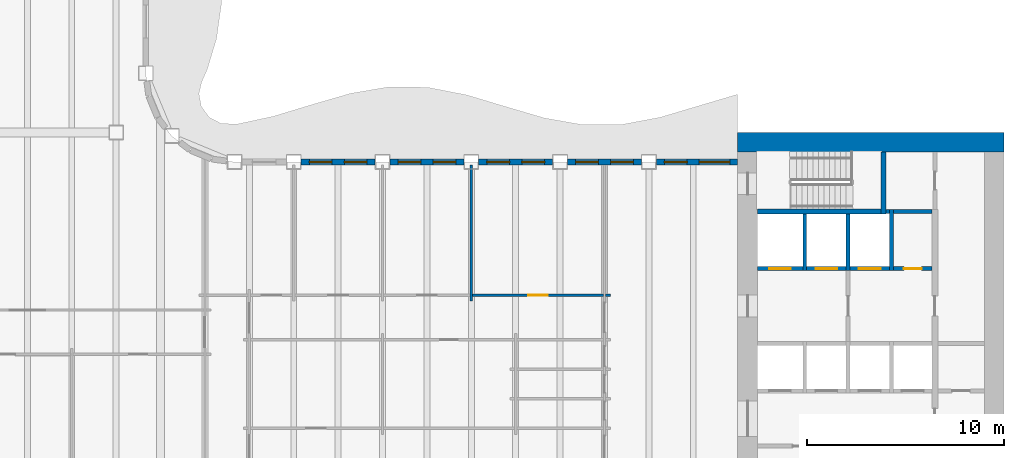
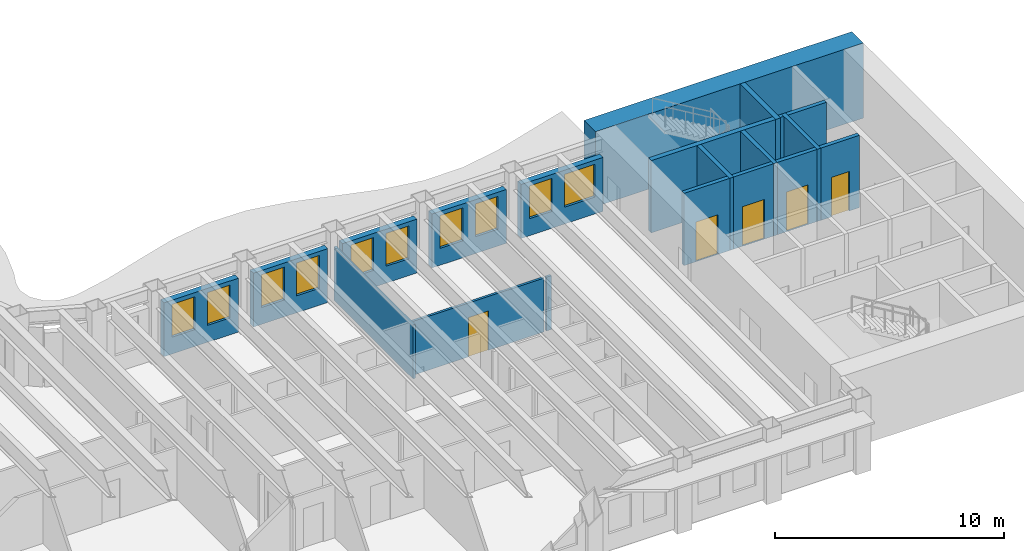
# One storey, part 7 of 16: 20 walls, 10 windows, 5 doors, 15 openings.
"""IFC4 building model written with IfcOpenShell, lengths in metres."""

from ifc_helpers import new_model, si_unit, direction, frame, frame_2d, origin, place, context, subcontext, project, spatial, rectangle, extrude, material, layer, layer_set, type_object, element, fill, save


model = new_model("IFC4")

# Units and contexts
model_context = context("Model", 3, precision=1e-05, world=origin(), true_north=direction((0.0, 1.0)))
body_context = subcontext(model_context, "Body", "Model", "MODEL_VIEW")
ifc_project = project(units=[si_unit("LENGTHUNIT", "METRE"), si_unit("AREAUNIT", "SQUARE_METRE"), si_unit("VOLUMEUNIT", "CUBIC_METRE"), si_unit("PLANEANGLEUNIT", "RADIAN"), si_unit("MASSUNIT", "GRAM", prefix="KILO")], contexts=[model_context])

# Site, building, storey
site_placement = place(None, origin())
site = spatial("IfcSite", under=ifc_project, at=site_placement, CompositionType="ELEMENT")
building_placement = place(site_placement, origin())
building = spatial("IfcBuilding", under=site, at=building_placement, Name="Sennacour Bend Tower", CompositionType="ELEMENT")
storey_placement = place(building_placement, frame((0.0, 0.0, 207.0)))
storey = spatial("IfcBuildingStorey", under=building, at=storey_placement, Name="L47", CompositionType="ELEMENT", Elevation=207.0)

# Walls
ifc_material_1 = material(Name="Concrete C60/75", Category="concrete")
ifc_layer_1 = layer(ifc_material_1, 1.0, Name="Concrete C60/75", Category="concrete")
ifc_layer_set_1 = layer_set([ifc_layer_1], Name="Concrete C60/75")
wall_type_1 = type_object("IfcWallType", Name="Core wall 1000 C60/75", PredefinedType="SHEAR", material=ifc_layer_set_1)
wall_1_placement = place(storey_placement, frame((54.0, 22.0, -0.14990234375), z_axis=(0.0, 0.0, 1.0), x_axis=(1.0, 0.0, 0.0)))
element("IfcWall", 1, at=wall_1_placement, inside=storey, type_object=wall_type_1, Name="Core A wall L47 N", PredefinedType="SHEAR", context=body_context, shape_type="SweptSolid", body=[
    extrude(rectangle(XDim=13.5, YDim=1.0, at=frame_2d((6.75, 0.0))), origin(), (0.0, 0.0, 1.0), 4.0),
])
ifc_material_2 = material(Name="Plasterboard partition on steel studs", Category="steel")
ifc_layer_2 = layer(ifc_material_2, 0.1201171875, Name="Plasterboard partition on steel studs", Category="steel")
ifc_layer_set_2 = layer_set([ifc_layer_2], Name="Plasterboard partition on steel studs")
wall_type_2 = type_object("IfcWallType", Name="Partition 120", PredefinedType="PARTITIONING", material=ifc_layer_set_2)
wall_2_placement = place(storey_placement, frame((40.5, 13.949951171875, 0.0), z_axis=(0.0, 0.0, 1.0), x_axis=(0.0, 1.0, 0.0)))
element("IfcWall", 2, at=wall_2_placement, inside=storey, type_object=wall_type_2, Name="P-L47-W034a", PredefinedType="PARTITIONING", context=body_context, shape_type="SweptSolid", body=[
    extrude(rectangle(XDim=6.900146484375, YDim=0.1201171875, at=frame_2d((3.4501953125, 0.0))), origin(), (0.0, 0.0, 1.0), 2.8701171875),
])

# Wall, opening, door
wall_3_placement = place(storey_placement, frame((40.56005859375, 14.25, 0.0), z_axis=(0.0, 0.0, 1.0), x_axis=(1.0, 0.0, 0.0)))
wall_3 = element("IfcWall", 3, at=wall_3_placement, inside=storey, type_object=wall_type_2, Name="P-L47-W071af", PredefinedType="PARTITIONING", context=body_context, shape_type="SweptSolid", body=[
    extrude(rectangle(XDim=6.6298828125, YDim=0.1201171875, at=frame_2d((3.31494140625, 0.0))), origin(), (0.0, 0.0, 1.0), 2.8701171875),
])
opening_1_placement = place(wall_3_placement, frame((2.81494140625, 0.0, 0.0)))
opening_1 = element("IfcOpeningElement", 4, at=opening_1_placement, cuts=wall_3, Name="Opening OD2", PredefinedType="OPENING", context=body_context, shape_type="SweptSolid", body=[
    extrude(rectangle(XDim=1.0, YDim=2.10009765625, at=frame_2d((0.5, 1.050048828125))), frame((0.0, 0.070068359375, 0.0), z_axis=(0.0, -1.0, 0.0), x_axis=(1.0, 0.0, 0.0)), (0.0, 0.0, 1.0), 0.14013671875),
])
ifc_material_3 = material(Name="Timber", Category="wood")
door_type_1 = type_object("IfcDoorType", Name="DR-OFFICE-1000", OperationType="NOTDEFINED", PredefinedType="DOOR", material=ifc_material_3)
door_1_placement = place(opening_1_placement, origin())
door_1 = element("IfcDoor", 5, at=door_1_placement, inside=storey, type_object=door_type_1, Name="Door", OperationType="SINGLE_SWING_LEFT", OverallHeight=2.10009765625, OverallWidth=1.0, PredefinedType="DOOR", context=body_context, shape_type="SweptSolid", body=[
    extrude(rectangle(XDim=1.0, YDim=2.10009765625, at=frame_2d((0.5, 1.050048828125))), frame((0.0, 0.02490234375, 0.0), z_axis=(0.0, -1.0, 0.0), x_axis=(1.0, 0.0, 0.0)), (0.0, 0.0, 1.0), 0.050048828125),
])
fill(opening_1, door_1)

# Wall
wall_4_placement = place(storey_placement, frame((47.31005859375, 14.25, 0.0), z_axis=(0.0, 0.0, 1.0), x_axis=(1.0, 0.0, 0.0)))
element("IfcWall", 6, at=wall_4_placement, inside=storey, type_object=wall_type_2, Name="P-L47-W071ag", PredefinedType="PARTITIONING", context=body_context, shape_type="SweptSolid", body=[
    extrude(rectangle(XDim=0.239990234375, YDim=0.1201171875, at=frame_2d((0.1201171875, 0.0))), origin(), (0.0, 0.0, 1.0), 2.8701171875),
])

# Wall, opening, door
ifc_material_4 = material(Name="Fire-rated plasterboard partition on steel studs", Category="steel")
ifc_layer_3 = layer(ifc_material_4, 0.199951171875, Name="Fire-rated plasterboard partition on steel studs", Category="steel")
ifc_layer_set_3 = layer_set([ifc_layer_3], Name="Fire-rated plasterboard partition on steel studs")
wall_type_3 = type_object("IfcWallType", Name="Rated partition 200", PredefinedType="PARTITIONING", material=ifc_layer_set_3)
wall_5_placement = place(storey_placement, frame((61.89990234375, 15.60009765625, 0.0), z_axis=(0.0, 0.0, 1.0), x_axis=(1.0, 0.0, 0.0)))
wall_5 = element("IfcWall", 7, at=wall_5_placement, inside=storey, type_object=wall_type_3, Name="P-L47-W073", PredefinedType="PARTITIONING", context=body_context, shape_type="SweptSolid", body=[
    extrude(rectangle(XDim=1.9501953125, YDim=0.199951171875, at=frame_2d((0.97509765625, 0.0))), origin(), (0.0, 0.0, 1.0), 3.85009765625),
])
opening_2_placement = place(wall_5_placement, frame((0.525146484375, 0.0, 0.0)))
opening_2 = element("IfcOpeningElement", 8, at=opening_2_placement, cuts=wall_5, Name="Opening SV", PredefinedType="OPENING", context=body_context, shape_type="SweptSolid", body=[
    extrude(rectangle(XDim=0.89990234375, YDim=2.10009765625, at=frame_2d((0.449951171875, 1.050048828125))), frame((0.0, 0.10986328125, 0.0), z_axis=(0.0, -1.0, 0.0), x_axis=(1.0, 0.0, 0.0)), (0.0, 0.0, 1.0), 0.219970703125),
])
ifc_material_5 = material(Name="Painted steel", Category="steel")
door_type_2 = type_object("IfcDoorType", Name="DR-SERVICE-900", OperationType="NOTDEFINED", PredefinedType="DOOR", material=ifc_material_5)
door_2_placement = place(opening_2_placement, origin())
door_2 = element("IfcDoor", 9, at=door_2_placement, inside=storey, type_object=door_type_2, Name="Door", OperationType="SINGLE_SWING_LEFT", OverallHeight=2.10009765625, OverallWidth=0.89990234375, PredefinedType="DOOR", context=body_context, shape_type="SweptSolid", body=[
    extrude(rectangle(XDim=0.89990234375, YDim=2.10009765625, at=frame_2d((0.449951171875, 1.050048828125))), frame((0.0, 0.02490234375, 0.0), z_axis=(0.0, -1.0, 0.0), x_axis=(1.0, 0.0, 0.0)), (0.0, 0.0, 1.0), 0.050048828125),
])
fill(opening_2, door_2)

# Wall
wall_6_placement = place(storey_placement, frame((61.89990234375, 18.5, 0.0), z_axis=(0.0, 0.0, 1.0), x_axis=(1.0, 0.0, 0.0)))
element("IfcWall", 10, at=wall_6_placement, inside=storey, type_object=wall_type_3, Name="P-L47-W076", PredefinedType="PARTITIONING", context=body_context, shape_type="SweptSolid", body=[
    extrude(rectangle(XDim=1.9501953125, YDim=0.199951171875, at=frame_2d((0.97509765625, 0.0))), origin(), (0.0, 0.0, 1.0), 3.85009765625),
])

# Wall, openings, windows
ifc_material_6 = material(Name="Warm limestone cladding", Category="masonry")
ifc_layer_4 = layer(ifc_material_6, 0.050048828125, Name="Warm limestone cladding", Category="masonry")
ifc_material_7 = material(Name="Precast concrete C40/50", Category="concrete")
ifc_layer_5 = layer(ifc_material_7, 0.25, Name="Precast concrete C40/50", Category="concrete")
ifc_layer_set_4 = layer_set([ifc_layer_4, ifc_layer_5], Name="Precast concrete C40/50 with limestone cladding")
wall_type_4 = type_object("IfcWallType", Name="STONE-CLAD PRECAST SPANDREL 300", PredefinedType="STANDARD", material=ifc_layer_set_4)
wall_7_placement = place(storey_placement, frame((54.0, 21.0, 0.0), z_axis=(0.0, 0.0, 1.0), x_axis=(-1.0, 0.0, 0.0)))
wall_7 = element("IfcWall", 11, at=wall_7_placement, inside=storey, type_object=wall_type_4, Name="Stone spandrel and pier wall L47 06.00", PredefinedType="STANDARD", context=body_context, shape_type="SweptSolid", body=[
    extrude(rectangle(XDim=4.125, YDim=0.300048828125, at=frame_2d((2.0625, 0.0))), origin(), (0.0, 0.0, 1.0), 2.8701171875),
])
opening_3_placement = place(wall_7_placement, frame((0.39990234375, 0.0, 0.89990234375)))
opening_3 = element("IfcOpeningElement", 12, at=opening_3_placement, cuts=wall_7, Name="Opening W12", PredefinedType="OPENING", context=body_context, shape_type="SweptSolid", body=[
    extrude(rectangle(XDim=1.550048828125, YDim=1.75, at=frame_2d((0.77490234375, 0.875))), frame((0.0, 0.16015625, 0.0), z_axis=(0.0, -1.0, 0.0), x_axis=(1.0, 0.0, 0.0)), (0.0, 0.0, 1.0), 0.320068359375),
])
opening_4_placement = place(wall_7_placement, frame((2.5625, 0.0, 0.89990234375)))
opening_4 = element("IfcOpeningElement", 13, at=opening_4_placement, cuts=wall_7, Name="Opening W23", PredefinedType="OPENING", context=body_context, shape_type="SweptSolid", body=[
    extrude(rectangle(XDim=1.14990234375, YDim=1.75, at=frame_2d((0.574951171875, 0.875))), frame((0.0, 0.16015625, 0.0), z_axis=(0.0, -1.0, 0.0), x_axis=(1.0, 0.0, 0.0)), (0.0, 0.0, 1.0), 0.320068359375),
])
ifc_material_8 = material(Name="Clear low-emissivity glass", Category="glass")
window_type_1 = type_object("IfcWindowType", Name="WIN-RIBBON-1150x1750", PartitioningType="SINGLE_PANEL", PredefinedType="WINDOW", material=ifc_material_8)
window_1_placement = place(opening_4_placement, origin())
window_1 = element("IfcWindow", 14, at=window_1_placement, inside=storey, type_object=window_type_1, Name="Ribbon window L47 06.00.1", OverallHeight=1.75, OverallWidth=1.14990234375, PartitioningType="SINGLE_PANEL", PredefinedType="WINDOW", context=body_context, shape_type="SweptSolid", body=[
    extrude(rectangle(XDim=1.14990234375, YDim=1.75, at=frame_2d((0.574951171875, 0.875))), frame((0.0, 0.030029296875, 0.0), z_axis=(0.0, -1.0, 0.0), x_axis=(1.0, 0.0, 0.0)), (0.0, 0.0, 1.0), 0.06005859375),
])
fill(opening_4, window_1)
window_type_2 = type_object("IfcWindowType", Name="WIN-RIBBON-1550x1750", PartitioningType="SINGLE_PANEL", PredefinedType="WINDOW", material=ifc_material_8)
window_2_placement = place(opening_3_placement, origin())
window_2 = element("IfcWindow", 15, at=window_2_placement, inside=storey, type_object=window_type_2, Name="Ribbon window L47 06.00.0", OverallHeight=1.75, OverallWidth=1.550048828125, PartitioningType="SINGLE_PANEL", PredefinedType="WINDOW", context=body_context, shape_type="SweptSolid", body=[
    extrude(rectangle(XDim=1.550048828125, YDim=1.75, at=frame_2d((0.77490234375, 0.875))), frame((0.0, 0.030029296875, 0.0), z_axis=(0.0, -1.0, 0.0), x_axis=(1.0, 0.0, 0.0)), (0.0, 0.0, 1.0), 0.06005859375),
])
fill(opening_3, window_2)

wall_8_placement = place(storey_placement, frame((49.125, 21.0, 0.0), z_axis=(0.0, 0.0, 1.0), x_axis=(-1.0, 0.0, 0.0)))
wall_8 = element("IfcWall", 16, at=wall_8_placement, inside=storey, type_object=wall_type_4, Name="Stone spandrel and pier wall L47 06.01", PredefinedType="STANDARD", context=body_context, shape_type="SweptSolid", body=[
    extrude(rectangle(XDim=3.75, YDim=0.300048828125, at=frame_2d((1.875, 0.0))), origin(), (0.0, 0.0, 1.0), 2.8701171875),
])
opening_5_placement = place(wall_8_placement, frame((0.41259765625, 0.0, 0.89990234375)))
opening_5 = element("IfcOpeningElement", 17, at=opening_5_placement, cuts=wall_8, Name="Opening W23", PredefinedType="OPENING", context=body_context, shape_type="SweptSolid", body=[
    extrude(rectangle(XDim=1.14990234375, YDim=1.75, at=frame_2d((0.574951171875, 0.875))), frame((0.0, 0.16015625, 0.0), z_axis=(0.0, -1.0, 0.0), x_axis=(1.0, 0.0, 0.0)), (0.0, 0.0, 1.0), 0.320068359375),
])
opening_6_placement = place(wall_8_placement, frame((2.1875, 0.0, 0.89990234375)))
opening_6 = element("IfcOpeningElement", 18, at=opening_6_placement, cuts=wall_8, Name="Opening W23", PredefinedType="OPENING", context=body_context, shape_type="SweptSolid", body=[
    extrude(rectangle(XDim=1.14990234375, YDim=1.75, at=frame_2d((0.574951171875, 0.875))), frame((0.0, 0.16015625, 0.0), z_axis=(0.0, -1.0, 0.0), x_axis=(1.0, 0.0, 0.0)), (0.0, 0.0, 1.0), 0.320068359375),
])
window_3_placement = place(opening_5_placement, origin())
window_3 = element("IfcWindow", 19, at=window_3_placement, inside=storey, type_object=window_type_1, Name="Ribbon window L47 06.01.0", OverallHeight=1.75, OverallWidth=1.14990234375, PartitioningType="SINGLE_PANEL", PredefinedType="WINDOW", context=body_context, shape_type="SweptSolid", body=[
    extrude(rectangle(XDim=1.14990234375, YDim=1.75, at=frame_2d((0.574951171875, 0.875))), frame((0.0, 0.030029296875, 0.0), z_axis=(0.0, -1.0, 0.0), x_axis=(1.0, 0.0, 0.0)), (0.0, 0.0, 1.0), 0.06005859375),
])
fill(opening_5, window_3)
window_4_placement = place(opening_6_placement, origin())
window_4 = element("IfcWindow", 20, at=window_4_placement, inside=storey, type_object=window_type_1, Name="Ribbon window L47 06.01.1", OverallHeight=1.75, OverallWidth=1.14990234375, PartitioningType="SINGLE_PANEL", PredefinedType="WINDOW", context=body_context, shape_type="SweptSolid", body=[
    extrude(rectangle(XDim=1.14990234375, YDim=1.75, at=frame_2d((0.574951171875, 0.875))), frame((0.0, 0.030029296875, 0.0), z_axis=(0.0, -1.0, 0.0), x_axis=(1.0, 0.0, 0.0)), (0.0, 0.0, 1.0), 0.06005859375),
])
fill(opening_6, window_4)

wall_9_placement = place(storey_placement, frame((44.625, 21.0, 0.0), z_axis=(0.0, 0.0, 1.0), x_axis=(-1.0, 0.0, 0.0)))
wall_9 = element("IfcWall", 21, at=wall_9_placement, inside=storey, type_object=wall_type_4, Name="Stone spandrel and pier wall L47 06.02", PredefinedType="STANDARD", context=body_context, shape_type="SweptSolid", body=[
    extrude(rectangle(XDim=3.75, YDim=0.300048828125, at=frame_2d((1.875, 0.0))), origin(), (0.0, 0.0, 1.0), 2.8701171875),
])
opening_7_placement = place(wall_9_placement, frame((0.41259765625, 0.0, 0.89990234375)))
opening_7 = element("IfcOpeningElement", 22, at=opening_7_placement, cuts=wall_9, Name="Opening W23", PredefinedType="OPENING", context=body_context, shape_type="SweptSolid", body=[
    extrude(rectangle(XDim=1.14990234375, YDim=1.75, at=frame_2d((0.574951171875, 0.875))), frame((0.0, 0.16015625, 0.0), z_axis=(0.0, -1.0, 0.0), x_axis=(1.0, 0.0, 0.0)), (0.0, 0.0, 1.0), 0.320068359375),
])
opening_8_placement = place(wall_9_placement, frame((2.1875, 0.0, 0.89990234375)))
opening_8 = element("IfcOpeningElement", 23, at=opening_8_placement, cuts=wall_9, Name="Opening W23", PredefinedType="OPENING", context=body_context, shape_type="SweptSolid", body=[
    extrude(rectangle(XDim=1.14990234375, YDim=1.75, at=frame_2d((0.574951171875, 0.875))), frame((0.0, 0.16015625, 0.0), z_axis=(0.0, -1.0, 0.0), x_axis=(1.0, 0.0, 0.0)), (0.0, 0.0, 1.0), 0.320068359375),
])
window_5_placement = place(opening_7_placement, origin())
window_5 = element("IfcWindow", 24, at=window_5_placement, inside=storey, type_object=window_type_1, Name="Ribbon window L47 06.02.0", OverallHeight=1.75, OverallWidth=1.14990234375, PartitioningType="SINGLE_PANEL", PredefinedType="WINDOW", context=body_context, shape_type="SweptSolid", body=[
    extrude(rectangle(XDim=1.14990234375, YDim=1.75, at=frame_2d((0.574951171875, 0.875))), frame((0.0, 0.030029296875, 0.0), z_axis=(0.0, -1.0, 0.0), x_axis=(1.0, 0.0, 0.0)), (0.0, 0.0, 1.0), 0.06005859375),
])
fill(opening_7, window_5)
window_6_placement = place(opening_8_placement, origin())
window_6 = element("IfcWindow", 25, at=window_6_placement, inside=storey, type_object=window_type_1, Name="Ribbon window L47 06.02.1", OverallHeight=1.75, OverallWidth=1.14990234375, PartitioningType="SINGLE_PANEL", PredefinedType="WINDOW", context=body_context, shape_type="SweptSolid", body=[
    extrude(rectangle(XDim=1.14990234375, YDim=1.75, at=frame_2d((0.574951171875, 0.875))), frame((0.0, 0.030029296875, 0.0), z_axis=(0.0, -1.0, 0.0), x_axis=(1.0, 0.0, 0.0)), (0.0, 0.0, 1.0), 0.06005859375),
])
fill(opening_8, window_6)

wall_10_placement = place(storey_placement, frame((40.125, 21.0, 0.0), z_axis=(0.0, 0.0, 1.0), x_axis=(-1.0, 0.0, 0.0)))
wall_10 = element("IfcWall", 26, at=wall_10_placement, inside=storey, type_object=wall_type_4, Name="Stone spandrel and pier wall L47 06.03", PredefinedType="STANDARD", context=body_context, shape_type="SweptSolid", body=[
    extrude(rectangle(XDim=3.75, YDim=0.300048828125, at=frame_2d((1.875, 0.0))), origin(), (0.0, 0.0, 1.0), 2.8701171875),
])
opening_9_placement = place(wall_10_placement, frame((0.41259765625, 0.0, 0.89990234375)))
opening_9 = element("IfcOpeningElement", 27, at=opening_9_placement, cuts=wall_10, Name="Opening W23", PredefinedType="OPENING", context=body_context, shape_type="SweptSolid", body=[
    extrude(rectangle(XDim=1.14990234375, YDim=1.75, at=frame_2d((0.574951171875, 0.875))), frame((0.0, 0.16015625, 0.0), z_axis=(0.0, -1.0, 0.0), x_axis=(1.0, 0.0, 0.0)), (0.0, 0.0, 1.0), 0.320068359375),
])
opening_10_placement = place(wall_10_placement, frame((2.1875, 0.0, 0.89990234375)))
opening_10 = element("IfcOpeningElement", 28, at=opening_10_placement, cuts=wall_10, Name="Opening W23", PredefinedType="OPENING", context=body_context, shape_type="SweptSolid", body=[
    extrude(rectangle(XDim=1.14990234375, YDim=1.75, at=frame_2d((0.574951171875, 0.875))), frame((0.0, 0.16015625, 0.0), z_axis=(0.0, -1.0, 0.0), x_axis=(1.0, 0.0, 0.0)), (0.0, 0.0, 1.0), 0.320068359375),
])
window_7_placement = place(opening_9_placement, origin())
window_7 = element("IfcWindow", 29, at=window_7_placement, inside=storey, type_object=window_type_1, Name="Ribbon window L47 06.03.0", OverallHeight=1.75, OverallWidth=1.14990234375, PartitioningType="SINGLE_PANEL", PredefinedType="WINDOW", context=body_context, shape_type="SweptSolid", body=[
    extrude(rectangle(XDim=1.14990234375, YDim=1.75, at=frame_2d((0.574951171875, 0.875))), frame((0.0, 0.030029296875, 0.0), z_axis=(0.0, -1.0, 0.0), x_axis=(1.0, 0.0, 0.0)), (0.0, 0.0, 1.0), 0.06005859375),
])
fill(opening_9, window_7)
window_8_placement = place(opening_10_placement, origin())
window_8 = element("IfcWindow", 30, at=window_8_placement, inside=storey, type_object=window_type_1, Name="Ribbon window L47 06.03.1", OverallHeight=1.75, OverallWidth=1.14990234375, PartitioningType="SINGLE_PANEL", PredefinedType="WINDOW", context=body_context, shape_type="SweptSolid", body=[
    extrude(rectangle(XDim=1.14990234375, YDim=1.75, at=frame_2d((0.574951171875, 0.875))), frame((0.0, 0.030029296875, 0.0), z_axis=(0.0, -1.0, 0.0), x_axis=(1.0, 0.0, 0.0)), (0.0, 0.0, 1.0), 0.06005859375),
])
fill(opening_10, window_8)

wall_11_placement = place(storey_placement, frame((35.625, 21.0, 0.0), z_axis=(0.0, 0.0, 1.0), x_axis=(-1.0, 0.0, 0.0)))
wall_11 = element("IfcWall", 31, at=wall_11_placement, inside=storey, type_object=wall_type_4, Name="Stone spandrel and pier wall L47 06.04", PredefinedType="STANDARD", context=body_context, shape_type="SweptSolid", body=[
    extrude(rectangle(XDim=3.75, YDim=0.300048828125, at=frame_2d((1.875, 0.0))), origin(), (0.0, 0.0, 1.0), 2.8701171875),
])
opening_11_placement = place(wall_11_placement, frame((0.41259765625, 0.0, 0.89990234375)))
opening_11 = element("IfcOpeningElement", 32, at=opening_11_placement, cuts=wall_11, Name="Opening W23", PredefinedType="OPENING", context=body_context, shape_type="SweptSolid", body=[
    extrude(rectangle(XDim=1.14990234375, YDim=1.75, at=frame_2d((0.574951171875, 0.875))), frame((0.0, 0.16015625, 0.0), z_axis=(0.0, -1.0, 0.0), x_axis=(1.0, 0.0, 0.0)), (0.0, 0.0, 1.0), 0.320068359375),
])
opening_12_placement = place(wall_11_placement, frame((2.1875, 0.0, 0.89990234375)))
opening_12 = element("IfcOpeningElement", 33, at=opening_12_placement, cuts=wall_11, Name="Opening W23", PredefinedType="OPENING", context=body_context, shape_type="SweptSolid", body=[
    extrude(rectangle(XDim=1.14990234375, YDim=1.75, at=frame_2d((0.574951171875, 0.875))), frame((0.0, 0.16015625, 0.0), z_axis=(0.0, -1.0, 0.0), x_axis=(1.0, 0.0, 0.0)), (0.0, 0.0, 1.0), 0.320068359375),
])
window_9_placement = place(opening_11_placement, origin())
window_9 = element("IfcWindow", 34, at=window_9_placement, inside=storey, type_object=window_type_1, Name="Ribbon window L47 06.04.0", OverallHeight=1.75, OverallWidth=1.14990234375, PartitioningType="SINGLE_PANEL", PredefinedType="WINDOW", context=body_context, shape_type="SweptSolid", body=[
    extrude(rectangle(XDim=1.14990234375, YDim=1.75, at=frame_2d((0.574951171875, 0.875))), frame((0.0, 0.030029296875, 0.0), z_axis=(0.0, -1.0, 0.0), x_axis=(1.0, 0.0, 0.0)), (0.0, 0.0, 1.0), 0.06005859375),
])
fill(opening_11, window_9)
window_10_placement = place(opening_12_placement, origin())
window_10 = element("IfcWindow", 35, at=window_10_placement, inside=storey, type_object=window_type_1, Name="Ribbon window L47 06.04.1", OverallHeight=1.75, OverallWidth=1.14990234375, PartitioningType="SINGLE_PANEL", PredefinedType="WINDOW", context=body_context, shape_type="SweptSolid", body=[
    extrude(rectangle(XDim=1.14990234375, YDim=1.75, at=frame_2d((0.574951171875, 0.875))), frame((0.0, 0.030029296875, 0.0), z_axis=(0.0, -1.0, 0.0), x_axis=(1.0, 0.0, 0.0)), (0.0, 0.0, 1.0), 0.06005859375),
])
fill(opening_12, window_10)

# Walls
ifc_material_9 = material(Name="Concrete C50/60", Category="concrete")
ifc_layer_6 = layer(ifc_material_9, 0.199951171875, Name="Concrete C50/60", Category="concrete")
ifc_layer_set_5 = layer_set([ifc_layer_6], Name="Concrete C50/60")
wall_type_5 = type_object("IfcWallType", Name="Shaft wall 200", PredefinedType="SOLIDWALL", material=ifc_layer_set_5)
for number, where, z_axis, x_axis, name in (
    (36, (57.39990234375, 15.5, 0.0), (0.0, 0.0, 1.0), (0.0, 1.0, 0.0), "P-L47-W040"),
    (37, (59.60009765625, 15.5, 0.0), (0.0, 0.0, 1.0), (0.0, 1.0, 0.0), "P-L47-W044"),
):
    element("IfcWall", number, at=place(storey_placement, frame(where, z_axis=z_axis, x_axis=x_axis)), inside=storey, type_object=wall_type_5, Name=name, PredefinedType="SOLIDWALL", context=body_context, shape_type="SweptSolid", body=[
        extrude(rectangle(XDim=2.875, YDim=0.199951171875, at=frame_2d((1.4375, 0.0))), origin(), (0.0, 0.0, 1.0), 3.85009765625),
    ])
wall_12_placement = place(storey_placement, frame((61.800048828125, 15.5, 0.0), z_axis=(0.0, 0.0, 1.0), x_axis=(0.0, 1.0, 0.0)))
element("IfcWall", 38, at=wall_12_placement, inside=storey, type_object=wall_type_5, Name="P-L47-W048", PredefinedType="SOLIDWALL", context=body_context, shape_type="SweptSolid", body=[
    extrude(rectangle(XDim=3.10009765625, YDim=0.199951171875, at=frame_2d((1.550048828125, 0.0))), origin(), (0.0, 0.0, 1.0), 3.85009765625),
])

# Wall, opening, door
wall_13_placement = place(storey_placement, frame((55.0, 15.60009765625, 0.0), z_axis=(0.0, 0.0, 1.0), x_axis=(1.0, 0.0, 0.0)))
wall_13 = element("IfcWall", 39, at=wall_13_placement, inside=storey, type_object=wall_type_5, Name="P-L47-W072a", PredefinedType="SOLIDWALL", context=body_context, shape_type="SweptSolid", body=[
    extrude(rectangle(XDim=2.300048828125, YDim=0.199951171875, at=frame_2d((1.14990234375, 0.0))), origin(), (0.0, 0.0, 1.0), 3.85009765625),
])
opening_13_placement = place(wall_13_placement, frame((0.60009765625, 0.0, 0.011962890625)))
opening_13 = element("IfcOpeningElement", 40, at=opening_13_placement, cuts=wall_13, Name="Opening FLD", PredefinedType="OPENING", context=body_context, shape_type="SweptSolid", body=[
    extrude(rectangle(XDim=1.10009765625, YDim=2.10009765625, at=frame_2d((0.550048828125, 1.050048828125))), frame((0.0, 0.10986328125, 0.0), z_axis=(0.0, -1.0, 0.0), x_axis=(1.0, 0.0, 0.0)), (0.0, 0.0, 1.0), 0.219970703125),
])
ifc_material_10 = material(Name="Stainless steel", Category="steel")
door_type_3 = type_object("IfcDoorType", Name="DR-FF-LANDING-1100", OperationType="NOTDEFINED", PredefinedType="DOOR", material=ifc_material_10)
door_3_placement = place(opening_13_placement, origin())
door_3 = element("IfcDoor", 41, at=door_3_placement, inside=storey, type_object=door_type_3, Name="Fire service lift landing door FA1", OperationType="SLIDING_TO_LEFT", OverallHeight=2.10009765625, OverallWidth=1.10009765625, PredefinedType="DOOR", context=body_context, shape_type="SweptSolid", body=[
    extrude(rectangle(XDim=1.10009765625, YDim=2.10009765625, at=frame_2d((0.550048828125, 1.050048828125))), frame((0.0, 0.02490234375, 0.0), z_axis=(0.0, -1.0, 0.0), x_axis=(1.0, 0.0, 0.0)), (0.0, 0.0, 1.0), 0.050048828125),
])
fill(opening_13, door_3)

wall_14_placement = place(storey_placement, frame((57.5, 15.60009765625, 0.0), z_axis=(0.0, 0.0, 1.0), x_axis=(1.0, 0.0, 0.0)))
wall_14 = element("IfcWall", 42, at=wall_14_placement, inside=storey, type_object=wall_type_5, Name="P-L47-W072b", PredefinedType="SOLIDWALL", context=body_context, shape_type="SweptSolid", body=[
    extrude(rectangle(XDim=2.0, YDim=0.199951171875, at=frame_2d((1.0, 0.0))), origin(), (0.0, 0.0, 1.0), 3.85009765625),
])
opening_14_placement = place(wall_14_placement, frame((0.449951171875, 0.0, 0.011962890625)))
opening_14 = element("IfcOpeningElement", 43, at=opening_14_placement, cuts=wall_14, Name="Opening FLD", PredefinedType="OPENING", context=body_context, shape_type="SweptSolid", body=[
    extrude(rectangle(XDim=1.10009765625, YDim=2.10009765625, at=frame_2d((0.550048828125, 1.050048828125))), frame((0.0, 0.10986328125, 0.0), z_axis=(0.0, -1.0, 0.0), x_axis=(1.0, 0.0, 0.0)), (0.0, 0.0, 1.0), 0.219970703125),
])
door_4_placement = place(opening_14_placement, origin())
door_4 = element("IfcDoor", 44, at=door_4_placement, inside=storey, type_object=door_type_3, Name="Fire service lift landing door FA2", OperationType="SLIDING_TO_RIGHT", OverallHeight=2.10009765625, OverallWidth=1.10009765625, PredefinedType="DOOR", context=body_context, shape_type="SweptSolid", body=[
    extrude(rectangle(XDim=1.10009765625, YDim=2.10009765625, at=frame_2d((0.550048828125, 1.050048828125))), frame((0.0, 0.02490234375, 0.0), z_axis=(0.0, -1.0, 0.0), x_axis=(1.0, 0.0, 0.0)), (0.0, 0.0, 1.0), 0.050048828125),
])
fill(opening_14, door_4)

wall_15_placement = place(storey_placement, frame((59.699951171875, 15.60009765625, 0.0), z_axis=(0.0, 0.0, 1.0), x_axis=(1.0, 0.0, 0.0)))
wall_15 = element("IfcWall", 45, at=wall_15_placement, inside=storey, type_object=wall_type_5, Name="P-L47-W072c", PredefinedType="SOLIDWALL", context=body_context, shape_type="SweptSolid", body=[
    extrude(rectangle(XDim=2.0, YDim=0.199951171875, at=frame_2d((1.0, 0.0))), origin(), (0.0, 0.0, 1.0), 3.85009765625),
])
opening_15_placement = place(wall_15_placement, frame((0.449951171875, 0.0, 0.011962890625)))
opening_15 = element("IfcOpeningElement", 46, at=opening_15_placement, cuts=wall_15, Name="Opening LD", PredefinedType="OPENING", context=body_context, shape_type="SweptSolid", body=[
    extrude(rectangle(XDim=1.10009765625, YDim=2.10009765625, at=frame_2d((0.550048828125, 1.050048828125))), frame((0.0, 0.10986328125, 0.0), z_axis=(0.0, -1.0, 0.0), x_axis=(1.0, 0.0, 0.0)), (0.0, 0.0, 1.0), 0.219970703125),
])
door_type_4 = type_object("IfcDoorType", Name="DR-LANDING-1100", OperationType="NOTDEFINED", PredefinedType="DOOR", material=ifc_material_10)
door_5_placement = place(opening_15_placement, origin())
door_5 = element("IfcDoor", 47, at=door_5_placement, inside=storey, type_object=door_type_4, Name="Lift landing door HA5", OperationType="SLIDING_TO_LEFT", OverallHeight=2.10009765625, OverallWidth=1.10009765625, PredefinedType="DOOR", context=body_context, shape_type="SweptSolid", body=[
    extrude(rectangle(XDim=1.10009765625, YDim=2.10009765625, at=frame_2d((0.550048828125, 1.050048828125))), frame((0.0, 0.02490234375, 0.0), z_axis=(0.0, -1.0, 0.0), x_axis=(1.0, 0.0, 0.0)), (0.0, 0.0, 1.0), 0.050048828125),
])
fill(opening_15, door_5)

# Walls
wall_16_placement = place(storey_placement, frame((61.52490234375, 18.5, 0.0), z_axis=(0.0, 0.0, 1.0), x_axis=(1.0, 0.0, 0.0)))
element("IfcWall", 48, at=wall_16_placement, inside=storey, type_object=wall_type_5, Name="P-L47-W075", PredefinedType="SOLIDWALL", context=body_context, shape_type="SweptSolid", body=[
    extrude(rectangle(XDim=0.175048828125, YDim=0.199951171875, at=frame_2d((0.08740234375, 0.0))), origin(), (0.0, 0.0, 1.0), 3.85009765625),
])
ifc_layer_7 = layer(ifc_material_1, 0.25, Name="Concrete C60/75", Category="concrete")
ifc_layer_set_6 = layer_set([ifc_layer_7], Name="Concrete C60/75")
wall_type_6 = type_object("IfcWallType", Name="Stair wall 250", PredefinedType="SHEAR", material=ifc_layer_set_6)
wall_17_placement = place(storey_placement, frame((61.39990234375, 18.375, 0.0), z_axis=(0.0, 0.0, 1.0), x_axis=(0.0, 1.0, 0.0)))
element("IfcWall", 49, at=wall_17_placement, inside=storey, type_object=wall_type_6, Name="P-L47-W046", PredefinedType="SHEAR", context=body_context, shape_type="SweptSolid", body=[
    extrude(rectangle(XDim=3.125, YDim=0.25, at=frame_2d((1.5625, 0.0))), origin(), (0.0, 0.0, 1.0), 3.85009765625),
])
wall_18_placement = place(storey_placement, frame((55.0, 18.5, 0.0), z_axis=(0.0, 0.0, 1.0), x_axis=(1.0, 0.0, 0.0)))
element("IfcWall", 50, at=wall_18_placement, inside=storey, type_object=wall_type_6, Name="P-L47-W074", PredefinedType="SHEAR", context=body_context, shape_type="SweptSolid", body=[
    extrude(rectangle(XDim=6.27490234375, YDim=0.25, at=frame_2d((3.137451171875, 0.0))), origin(), (0.0, 0.0, 1.0), 3.85009765625),
])

save(model, "model.ifc")
